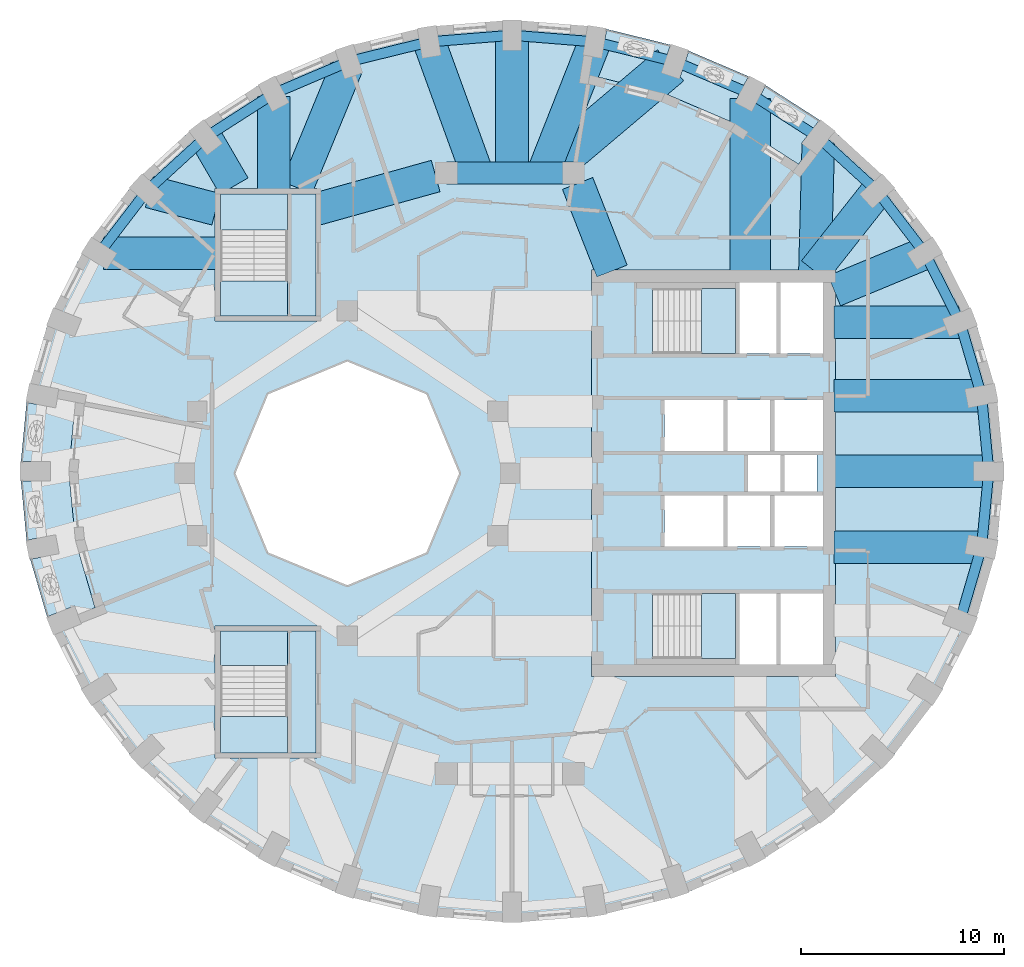
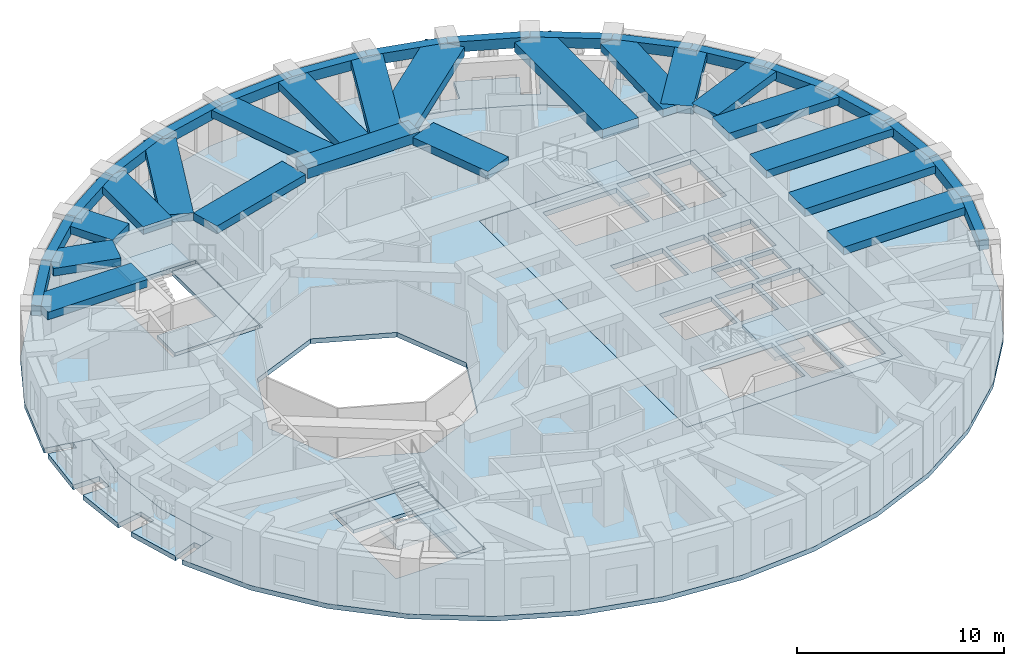
# One storey, part 2 of 12: 37 beams, 12 slabs, 4 elements without a shape of their own.
"""IFC4 building model written with IfcOpenShell, lengths in metres."""

from ifc_helpers import new_model, si_unit, direction, frame, origin, origin_2d, place, context, subcontext, project, spatial, polyline, rectangle, outline, extrude, material, layer, layer_set, material_profile, profile_set, type_object, element, aggregate, save


model = new_model("IFC4")

# Units and contexts
model_context = context("Model", 3, precision=1e-05, world=origin(), true_north=direction((0.0, 1.0)))
body_context = subcontext(model_context, "Body", "Model", "MODEL_VIEW")
ifc_project = project(units=[si_unit("LENGTHUNIT", "METRE"), si_unit("AREAUNIT", "SQUARE_METRE"), si_unit("VOLUMEUNIT", "CUBIC_METRE"), si_unit("PLANEANGLEUNIT", "RADIAN"), si_unit("MASSUNIT", "GRAM", prefix="KILO")], contexts=[model_context])

# Site, building, storey
site_placement = place(None, origin())
site = spatial("IfcSite", under=ifc_project, at=site_placement, CompositionType="ELEMENT")
building_placement = place(site_placement, origin())
building = spatial("IfcBuilding", under=site, at=building_placement, Name="Taillehof Tower", CompositionType="ELEMENT")
storey_placement = place(building_placement, frame((0.0, 0.0, 145.10009765625)))
storey = spatial("IfcBuildingStorey", under=building, at=storey_placement, Name="L40", CompositionType="ELEMENT", Elevation=145.10009765625)

# Beams
ifc_material_1 = material(Name="Concrete C50/60", Category="concrete")
ifc_material_profile_1 = material_profile(ifc_material_1, rectangle(XDim=1.10009765625, YDim=0.60009765625, at=origin_2d()), Name="RC 1100x600")
ifc_profile_set_1 = profile_set([ifc_material_profile_1], Name="Concrete C50/60")
beam_type_1 = type_object("IfcBeamType", Name="Mid-ring beam C50/60 1100x600", PredefinedType="BEAM", material=ifc_profile_set_1)
beam_1_placement = place(storey_placement, frame((3.125732421875, 14.772216796875, 2.719970703125), z_axis=(-1.0, 0.0, 0.0), x_axis=(0.0, -1.0, 0.0)))
element("IfcBeam", 1, at=beam_1_placement, inside=storey, type_object=beam_type_1, Name="Mid-ring beam MB01", PredefinedType="BEAM", context=body_context, shape_type="SweptSolid", body=[
    extrude(rectangle(XDim=1.10009765625, YDim=0.60009765625, at=origin_2d()), origin(), (0.0, 0.0, 1.0), 6.25146484375),
])
ifc_material_2 = material(Name="Concrete C50/60", Category="concrete")
ifc_material_profile_2 = material_profile(ifc_material_2, rectangle(XDim=1.60009765625, YDim=0.449951171875, at=origin_2d()), Name="RC 1600x450")
ifc_profile_set_2 = profile_set([ifc_material_profile_2], Name="Concrete C50/60")
beam_type_2 = type_object("IfcBeamType", Name="Radial band beam C50/60 1600x450", PredefinedType="BEAM", material=ifc_profile_set_2)
beam_2_placement = place(storey_placement, frame((23.550048828125, 0.10009765625, 2.794921875), z_axis=(-1.0, 0.0, 0.0), x_axis=(0.0, -1.0, 0.0)))
element("IfcBeam", 2, at=beam_2_placement, inside=storey, type_object=beam_type_2, Name="Radial band beam RB01", PredefinedType="BEAM", context=body_context, shape_type="SweptSolid", body=[
    extrude(rectangle(XDim=1.60009765625, YDim=0.449951171875, at=origin_2d()), origin(), (0.0, 0.0, 1.0), 7.60009765625),
])
beam_3_placement = place(storey_placement, frame((23.19384765625, 3.82470703125, 2.794921875), z_axis=(-1.0, 0.0, 0.0), x_axis=(0.0, -1.0, 0.0)))
element("IfcBeam", 3, at=beam_3_placement, inside=storey, type_object=beam_type_2, Name="Radial band beam RB02", PredefinedType="BEAM", context=body_context, shape_type="SweptSolid", body=[
    extrude(rectangle(XDim=1.60009765625, YDim=0.449951171875, at=origin_2d()), origin(), (0.0, 0.0, 1.0), 7.243896484375),
])
beam_4_placement = place(storey_placement, frame((22.08642578125, 7.436279296875, 2.794921875), z_axis=(-1.0, 0.0, 0.0), x_axis=(0.0, -1.0, 0.0)))
element("IfcBeam", 4, at=beam_4_placement, inside=storey, type_object=beam_type_2, Name="Radial band beam RB03", PredefinedType="BEAM", context=body_context, shape_type="SweptSolid", body=[
    extrude(rectangle(XDim=1.60009765625, YDim=0.449951171875, at=origin_2d()), origin(), (0.0, 0.0, 1.0), 6.136474609375),
])
beam_5_placement = place(storey_placement, frame((20.408203125, 10.824951171875, 2.794921875), z_axis=(-0.92395697655, -0.382496412381, 0.0), x_axis=(0.382496412381, -0.92395697655, 0.0)))
element("IfcBeam", 5, at=beam_5_placement, inside=storey, type_object=beam_type_2, Name="Radial band beam RB04", PredefinedType="BEAM", context=body_context, shape_type="SweptSolid", body=[
    extrude(rectangle(XDim=1.60009765625, YDim=0.449951171875, at=origin_2d()), origin(), (0.0, 0.0, 1.0), 4.821044921875),
])
beam_6_placement = place(storey_placement, frame((18.063720703125, 13.8876953125, 2.794921875), z_axis=(-0.618961692467, -0.785421175713, 0.0), x_axis=(0.785421175713, -0.618961692467, 0.0)))
element("IfcBeam", 6, at=beam_6_placement, inside=storey, type_object=beam_type_2, Name="Radial band beam RB05", PredefinedType="BEAM", context=body_context, shape_type="SweptSolid", body=[
    extrude(rectangle(XDim=1.60009765625, YDim=0.449951171875, at=origin_2d()), origin(), (0.0, 0.0, 1.0), 4.999755859375),
])
beam_7_placement = place(storey_placement, frame((15.166259765625, 16.259765625, 2.794921875), z_axis=(-0.026533506529, -0.999647924537, 0.0), x_axis=(0.999647924537, -0.026533506529, 0.0)))
element("IfcBeam", 7, at=beam_7_placement, inside=storey, type_object=beam_type_2, Name="Radial band beam RB06", PredefinedType="BEAM", context=body_context, shape_type="SweptSolid", body=[
    extrude(rectangle(XDim=1.60009765625, YDim=0.449951171875, at=origin_2d()), origin(), (0.0, 0.0, 1.0), 6.31201171875),
])
beam_8_placement = place(storey_placement, frame((4.172119140625, 21.22412109375, 2.794921875), z_axis=(-0.36711444375, -0.930175781877, 0.0), x_axis=(0.930175781877, -0.36711444375, 0.0)))
element("IfcBeam", 8, at=beam_8_placement, inside=storey, type_object=beam_type_2, Name="Radial band beam RB09", PredefinedType="BEAM", context=body_context, shape_type="SweptSolid", body=[
    extrude(rectangle(XDim=1.60009765625, YDim=0.449951171875, at=origin_2d()), origin(), (0.0, 0.0, 1.0), 6.936279296875),
])
beam_9_placement = place(storey_placement, frame((0.10009765625, 21.550048828125, 2.794921875), z_axis=(0.0, -1.0, 0.0), x_axis=(1.0, 0.0, 0.0)))
element("IfcBeam", 9, at=beam_9_placement, inside=storey, type_object=beam_type_2, Name="Radial band beam RB10", PredefinedType="BEAM", context=body_context, shape_type="SweptSolid", body=[
    extrude(rectangle(XDim=1.60009765625, YDim=0.449951171875, at=origin_2d()), origin(), (0.0, 0.0, 1.0), 6.77783203125),
])
beam_10_placement = place(storey_placement, frame((-3.97216796875, 21.22412109375, 2.794921875), z_axis=(0.341780181607, -0.939779925015, 0.0), x_axis=(0.939779925015, 0.341780181607, 0.0)))
element("IfcBeam", 10, at=beam_10_placement, inside=storey, type_object=beam_type_2, Name="Radial band beam RB11", PredefinedType="BEAM", context=body_context, shape_type="SweptSolid", body=[
    extrude(rectangle(XDim=1.60009765625, YDim=0.449951171875, at=origin_2d()), origin(), (0.0, 0.0, 1.0), 6.865234375),
])
beam_11_placement = place(storey_placement, frame((-8.04443359375, 19.95556640625, 2.794921875), z_axis=(-0.381176869418, -0.924502133162, 0.0), x_axis=(0.924502133162, -0.381176869418, 0.0)))
element("IfcBeam", 11, at=beam_11_placement, inside=storey, type_object=beam_type_2, Name="Radial band beam RB12", PredefinedType="BEAM", context=body_context, shape_type="SweptSolid", body=[
    extrude(rectangle(XDim=1.60009765625, YDim=0.449951171875, at=origin_2d()), origin(), (0.0, 0.0, 1.0), 6.382568359375),
])
beam_12_placement = place(storey_placement, frame((-11.625, 18.536376953125, 2.794921875), z_axis=(0.0, -1.0, 0.0), x_axis=(1.0, 0.0, 0.0)))
element("IfcBeam", 12, at=beam_12_placement, inside=storey, type_object=beam_type_2, Name="Radial band beam RB13", PredefinedType="BEAM", context=body_context, shape_type="SweptSolid", body=[
    extrude(rectangle(XDim=1.60009765625, YDim=0.449951171875, at=origin_2d()), origin(), (0.0, 0.0, 1.0), 4.58642578125),
])
beam_13_placement = place(storey_placement, frame((-14.973388671875, 16.53173828125, 2.794921875), z_axis=(0.502991419937, -0.864291404255, 0.0), x_axis=(0.864291404255, 0.502991419937, 0.0)))
element("IfcBeam", 13, at=beam_13_placement, inside=storey, type_object=beam_type_2, Name="Radial band beam RB14", PredefinedType="BEAM", context=body_context, shape_type="SweptSolid", body=[
    extrude(rectangle(XDim=1.60009765625, YDim=0.449951171875, at=origin_2d()), origin(), (0.0, 0.0, 1.0), 2.779296875),
])
beam_14_placement = place(storey_placement, frame((-17.72998046875, 13.8525390625, 2.794921875), z_axis=(0.966882543987, -0.255221758736, 0.0), x_axis=(0.255221758736, 0.966882543987, 0.0)))
element("IfcBeam", 14, at=beam_14_placement, inside=storey, type_object=beam_type_2, Name="Radial band beam RB15", PredefinedType="BEAM", context=body_context, shape_type="SweptSolid", body=[
    extrude(rectangle(XDim=1.60009765625, YDim=0.449951171875, at=origin_2d()), origin(), (0.0, 0.0, 1.0), 3.381591796875),
])
beam_15_placement = place(storey_placement, frame((-19.9990234375, 10.824951171875, 2.794921875), z_axis=(1.0, 0.0, 0.0), x_axis=(0.0, 1.0, 0.0)))
element("IfcBeam", 15, at=beam_15_placement, inside=storey, type_object=beam_type_2, Name="Radial band beam RB16", PredefinedType="BEAM", context=body_context, shape_type="SweptSolid", body=[
    extrude(rectangle(XDim=1.60009765625, YDim=0.449951171875, at=origin_2d()), origin(), (0.0, 0.0, 1.0), 5.549072265625),
])
beam_16_placement = place(storey_placement, frame((23.19384765625, -3.624755859375, 2.794921875), z_axis=(-1.0, 0.0, 0.0), x_axis=(0.0, -1.0, 0.0)))
element("IfcBeam", 16, at=beam_16_placement, inside=storey, type_object=beam_type_2, Name="Radial band beam RB36", PredefinedType="BEAM", context=body_context, shape_type="SweptSolid", body=[
    extrude(rectangle(XDim=1.60009765625, YDim=0.449951171875, at=origin_2d()), origin(), (0.0, 0.0, 1.0), 7.243896484375),
])
beam_17_placement = place(storey_placement, frame((3.32666015625, 14.26025390625, 2.794921875), z_axis=(0.365588707223, -0.930776502255, 0.0), x_axis=(0.930776502255, 0.365588707223, 0.0)))
element("IfcBeam", 17, at=beam_17_placement, inside=storey, type_object=beam_type_2, Name="Inner band beam IB205", PredefinedType="BEAM", context=body_context, shape_type="SweptSolid", body=[
    extrude(rectangle(XDim=1.60009765625, YDim=0.449951171875, at=origin_2d()), origin(), (0.0, 0.0, 1.0), 4.627197265625),
])
beam_18_placement = place(storey_placement, frame((-3.655517578125, 14.624755859375, 2.794921875), z_axis=(-0.963459369536, -0.267854518821, 0.0), x_axis=(0.267854518821, -0.963459369536, 0.0)))
element("IfcBeam", 18, at=beam_18_placement, inside=storey, type_object=beam_type_2, Name="Inner band beam IB206", PredefinedType="BEAM", context=body_context, shape_type="SweptSolid", body=[
    extrude(rectangle(XDim=1.60009765625, YDim=0.449951171875, at=origin_2d()), origin(), (0.0, 0.0, 1.0), 6.096923828125),
])
ifc_material_3 = material(Name="Concrete C50/60", Category="concrete")
ifc_material_profile_3 = material_profile(ifc_material_3, rectangle(XDim=2.0, YDim=0.550048828125, at=origin_2d()), Name="RC 2000x550")
ifc_profile_set_3 = profile_set([ifc_material_profile_3], Name="Concrete C50/60")
beam_type_3 = type_object("IfcBeamType", Name="Radial band beam C50/60 2000x550", PredefinedType="BEAM", material=ifc_profile_set_3)
beam_19_placement = place(storey_placement, frame((11.824951171875, 18.430908203125, 2.744873046875), z_axis=(0.0, -1.0, 0.0), x_axis=(1.0, 0.0, 0.0)))
element("IfcBeam", 19, at=beam_19_placement, inside=storey, type_object=beam_type_3, Name="Radial band beam RB07", PredefinedType="BEAM", context=body_context, shape_type="SweptSolid", body=[
    extrude(rectangle(XDim=2.0, YDim=0.550048828125, at=origin_2d()), origin(), (0.0, 0.0, 1.0), 8.48095703125),
])
beam_20_placement = place(storey_placement, frame((7.900390625, 20.070556640625, 2.744873046875), z_axis=(-0.764038060196, -0.645171173079, 0.0), x_axis=(0.645171173079, -0.764038060196, 0.0)))
element("IfcBeam", 20, at=beam_20_placement, inside=storey, type_object=beam_type_3, Name="Radial band beam RB08", PredefinedType="BEAM", context=body_context, shape_type="SweptSolid", body=[
    extrude(rectangle(XDim=2.0, YDim=0.550048828125, at=origin_2d()), origin(), (0.0, 0.0, 1.0), 7.880859375),
])
ifc_material_4 = material(Name="Concrete C50/60", Category="concrete")
ifc_material_profile_4 = material_profile(ifc_material_4, rectangle(XDim=0.5, YDim=0.60009765625, at=origin_2d()), Name="RC 500x600")
ifc_profile_set_4 = profile_set([ifc_material_profile_4], Name="Concrete C50/60")
beam_type_4 = type_object("IfcBeamType", Name="Spandrel beam C50/60 500x600", PredefinedType="SPANDREL", material=ifc_profile_set_4)
beam_21_placement = place(storey_placement, frame((23.550048828125, 0.10009765625, 2.719970703125), z_axis=(-0.095200147056, 0.995458151808, 0.0), x_axis=(-0.995458151808, -0.095200147056, 0.0)))
element("IfcBeam", 21, at=beam_21_placement, inside=storey, type_object=beam_type_4, Name="Spandrel beam SB01", PredefinedType="SPANDREL", context=body_context, shape_type="SweptSolid", body=[
    extrude(rectangle(XDim=0.5, YDim=0.60009765625, at=origin_2d()), origin(), (0.0, 0.0, 1.0), 3.74169921875),
])
beam_22_placement = place(storey_placement, frame((23.19384765625, 3.82470703125, 2.719970703125), z_axis=(-0.281158162606, 0.959661444261, 0.0), x_axis=(-0.959661444261, -0.281158162606, 0.0)))
element("IfcBeam", 22, at=beam_22_placement, inside=storey, type_object=beam_type_4, Name="Spandrel beam SB02", PredefinedType="SPANDREL", context=body_context, shape_type="SweptSolid", body=[
    extrude(rectangle(XDim=0.5, YDim=0.60009765625, at=origin_2d()), origin(), (0.0, 0.0, 1.0), 3.763427734375),
])
beam_23_placement = place(storey_placement, frame((22.1357421875, 7.436279296875, 2.719970703125), z_axis=(-0.454183451696, 0.890908183937, 0.0), x_axis=(-0.890908183937, -0.454183451696, 0.0)))
element("IfcBeam", 23, at=beam_23_placement, inside=storey, type_object=beam_type_4, Name="Spandrel beam SB03", PredefinedType="SPANDREL", context=body_context, shape_type="SweptSolid", body=[
    extrude(rectangle(XDim=0.5, YDim=0.60009765625, at=origin_2d()), origin(), (0.0, 0.0, 1.0), 3.8037109375),
])
beam_24_placement = place(storey_placement, frame((20.408203125, 10.824951171875, 2.719970703125), z_axis=(-0.60784004271, 0.794059495553, 0.0), x_axis=(-0.794059495553, -0.60784004271, 0.0)))
element("IfcBeam", 24, at=beam_24_placement, inside=storey, type_object=beam_type_4, Name="Spandrel beam SB04", PredefinedType="SPANDREL", context=body_context, shape_type="SweptSolid", body=[
    extrude(rectangle(XDim=0.5, YDim=0.60009765625, at=origin_2d()), origin(), (0.0, 0.0, 1.0), 3.857177734375),
])
beam_25_placement = place(storey_placement, frame((18.063720703125, 13.8876953125, 2.719970703125), z_axis=(-0.737849657471, 0.674965097594, 0.0), x_axis=(-0.674965097594, -0.737849657471, 0.0)))
element("IfcBeam", 25, at=beam_25_placement, inside=storey, type_object=beam_type_4, Name="Spandrel beam SB05", PredefinedType="SPANDREL", context=body_context, shape_type="SweptSolid", body=[
    extrude(rectangle(XDim=0.5, YDim=0.60009765625, at=origin_2d()), origin(), (0.0, 0.0, 1.0), 3.917236328125),
])
beam_26_placement = place(storey_placement, frame((15.17333984375, 16.53173828125, 2.719970703125), z_axis=(-0.842092940799, 0.53933243835, 0.0), x_axis=(-0.53933243835, -0.842092940799, 0.0)))
element("IfcBeam", 26, at=beam_26_placement, inside=storey, type_object=beam_type_4, Name="Spandrel beam SB06", PredefinedType="SPANDREL", context=body_context, shape_type="SweptSolid", body=[
    extrude(rectangle(XDim=0.5, YDim=0.60009765625, at=origin_2d()), origin(), (0.0, 0.0, 1.0), 3.976318359375),
])
beam_27_placement = place(storey_placement, frame((11.824951171875, 18.67626953125, 2.719970703125), z_axis=(-0.919827173659, 0.392323808351, 0.0), x_axis=(-0.392323808351, -0.919827173659, 0.0)))
element("IfcBeam", 27, at=beam_27_placement, inside=storey, type_object=beam_type_4, Name="Spandrel beam SB07", PredefinedType="SPANDREL", context=body_context, shape_type="SweptSolid", body=[
    extrude(rectangle(XDim=0.5, YDim=0.60009765625, at=origin_2d()), origin(), (0.0, 0.0, 1.0), 4.027587890625),
])
beam_28_placement = place(storey_placement, frame((8.120361328125, 20.25634765625, 2.719970703125), z_axis=(-0.971248584585, 0.238067610023, 0.0), x_axis=(-0.238067610023, -0.971248584585, 0.0)))
element("IfcBeam", 28, at=beam_28_placement, inside=storey, type_object=beam_type_4, Name="Spandrel beam SB08", PredefinedType="SPANDREL", context=body_context, shape_type="SweptSolid", body=[
    extrude(rectangle(XDim=0.5, YDim=0.60009765625, at=origin_2d()), origin(), (0.0, 0.0, 1.0), 4.065185546875),
])
beam_29_placement = place(storey_placement, frame((4.172119140625, 21.22412109375, 2.719970703125), z_axis=(-0.996812047205, 0.079785603634, 0.0), x_axis=(-0.079785603634, -0.996812047205, 0.0)))
element("IfcBeam", 29, at=beam_29_placement, inside=storey, type_object=beam_type_4, Name="Spandrel beam SB09", PredefinedType="SPANDREL", context=body_context, shape_type="SweptSolid", body=[
    extrude(rectangle(XDim=0.5, YDim=0.60009765625, at=origin_2d()), origin(), (0.0, 0.0, 1.0), 4.0849609375),
])
beam_30_placement = place(storey_placement, frame((0.10009765625, 21.550048828125, 2.719970703125), z_axis=(-0.996812427616, -0.079780850771, 0.0), x_axis=(0.079780850771, -0.996812427616, 0.0)))
element("IfcBeam", 30, at=beam_30_placement, inside=storey, type_object=beam_type_4, Name="Spandrel beam SB10", PredefinedType="SPANDREL", context=body_context, shape_type="SweptSolid", body=[
    extrude(rectangle(XDim=0.5, YDim=0.60009765625, at=origin_2d()), origin(), (0.0, 0.0, 1.0), 4.085205078125),
])
beam_31_placement = place(storey_placement, frame((-3.97216796875, 21.22412109375, 2.719970703125), z_axis=(-0.971248584585, -0.238067610023, 0.0), x_axis=(0.238067610023, -0.971248584585, 0.0)))
element("IfcBeam", 31, at=beam_31_placement, inside=storey, type_object=beam_type_4, Name="Spandrel beam SB11", PredefinedType="SPANDREL", context=body_context, shape_type="SweptSolid", body=[
    extrude(rectangle(XDim=0.5, YDim=0.60009765625, at=origin_2d()), origin(), (0.0, 0.0, 1.0), 4.065185546875),
])
beam_32_placement = place(storey_placement, frame((-7.92041015625, 20.25634765625, 2.719970703125), z_axis=(-0.919827173659, -0.392323808351, 0.0), x_axis=(0.392323808351, -0.919827173659, 0.0)))
element("IfcBeam", 32, at=beam_32_placement, inside=storey, type_object=beam_type_4, Name="Spandrel beam SB12", PredefinedType="SPANDREL", context=body_context, shape_type="SweptSolid", body=[
    extrude(rectangle(XDim=0.5, YDim=0.60009765625, at=origin_2d()), origin(), (0.0, 0.0, 1.0), 4.027587890625),
])
beam_33_placement = place(storey_placement, frame((-11.625, 18.67626953125, 2.719970703125), z_axis=(-0.842092940799, -0.53933243835, 0.0), x_axis=(0.53933243835, -0.842092940799, 0.0)))
element("IfcBeam", 33, at=beam_33_placement, inside=storey, type_object=beam_type_4, Name="Spandrel beam SB13", PredefinedType="SPANDREL", context=body_context, shape_type="SweptSolid", body=[
    extrude(rectangle(XDim=0.5, YDim=0.60009765625, at=origin_2d()), origin(), (0.0, 0.0, 1.0), 3.976318359375),
])
beam_34_placement = place(storey_placement, frame((-14.973388671875, 16.53173828125, 2.719970703125), z_axis=(-0.737849657471, -0.674965097594, 0.0), x_axis=(0.674965097594, -0.737849657471, 0.0)))
element("IfcBeam", 34, at=beam_34_placement, inside=storey, type_object=beam_type_4, Name="Spandrel beam SB14", PredefinedType="SPANDREL", context=body_context, shape_type="SweptSolid", body=[
    extrude(rectangle(XDim=0.5, YDim=0.60009765625, at=origin_2d()), origin(), (0.0, 0.0, 1.0), 3.917236328125),
])
beam_35_placement = place(storey_placement, frame((-17.86376953125, 13.8876953125, 2.719970703125), z_axis=(-0.60784004271, -0.794059495553, 0.0), x_axis=(0.794059495553, -0.60784004271, 0.0)))
element("IfcBeam", 35, at=beam_35_placement, inside=storey, type_object=beam_type_4, Name="Spandrel beam SB15", PredefinedType="SPANDREL", context=body_context, shape_type="SweptSolid", body=[
    extrude(rectangle(XDim=0.5, YDim=0.60009765625, at=origin_2d()), origin(), (0.0, 0.0, 1.0), 3.857177734375),
])
beam_36_placement = place(storey_placement, frame((22.1357421875, -7.236328125, 2.719970703125), z_axis=(0.281158162606, 0.959661444261, 0.0), x_axis=(-0.959661444261, 0.281158162606, 0.0)))
element("IfcBeam", 36, at=beam_36_placement, inside=storey, type_object=beam_type_4, Name="Spandrel beam SB35", PredefinedType="SPANDREL", context=body_context, shape_type="SweptSolid", body=[
    extrude(rectangle(XDim=0.5, YDim=0.60009765625, at=origin_2d()), origin(), (0.0, 0.0, 1.0), 3.763427734375),
])
beam_37_placement = place(storey_placement, frame((23.19384765625, -3.624755859375, 2.719970703125), z_axis=(0.095193963834, 0.995458743118, 0.0), x_axis=(-0.995458743118, 0.095193963834, 0.0)))
element("IfcBeam", 37, at=beam_37_placement, inside=storey, type_object=beam_type_4, Name="Spandrel beam SB36", PredefinedType="SPANDREL", context=body_context, shape_type="SweptSolid", body=[
    extrude(rectangle(XDim=0.5, YDim=0.60009765625, at=origin_2d()), origin(), (0.0, 0.0, 1.0), 3.741943359375),
])

# Slabs
ifc_material_5 = material(Name="Concrete C40/50", Category="concrete")
ifc_layer_1 = layer(ifc_material_5, 0.280029296875)
ifc_layer_set_1 = layer_set([ifc_layer_1], Name="Balcony slab 280")
slab_type_1 = type_object("IfcSlabType", Name="Balcony slab 280", PredefinedType="USERDEFINED", material=ifc_layer_set_1)
slab_1_placement = place(storey_placement, frame((0.0, 0.0, -0.280029296875)))
element("IfcSlab", 38, at=slab_1_placement, inside=storey, type_object=slab_type_1, Name="Balcony L40 pocket 5", ObjectType="BALCONY", PredefinedType="USERDEFINED", context=body_context, shape_type="SweptSolid", body=[
    extrude(outline(polyline([(-20.40966796875, -6.607666015625), (-21.24658203125, -6.939697265625), (-21.413818359375, -6.518310546875), (-22.768310546875, -7.0556640625), (-23.59521484375, -4.22412109375), (-22.16748046875, -3.94970703125), (-22.346923828125, -3.016845703125), (-23.776611328125, -3.29150390625), (-24.0546875, -0.375), (-22.60009765625, -0.375), (-22.60009765625, 0.574951171875), (-24.0546875, 0.574951171875), (-23.776611328125, 3.491455078125), (-22.346923828125, 3.216796875), (-22.25927734375, 3.671875), (-21.37548828125, 3.501953125), (-21.699951171875, 0.10009765625), (-21.37548828125, -3.302001953125), (-20.40966796875, -6.607666015625)])), origin(), (0.0, 0.0, 1.0), 0.280029296875),
])
slab_2_placement = place(storey_placement, frame((0.0, 0.0, -0.280029296875)))
element("IfcSlab", 39, at=slab_2_placement, inside=storey, type_object=slab_type_1, Name="Balcony L40 pocket 1", ObjectType="BALCONY", PredefinedType="USERDEFINED", context=body_context, shape_type="SweptSolid", body=[
    extrude(outline(polyline([(3.9189453125, 19.593505859375), (4.062744140625, 20.48193359375), (4.521240234375, 20.407958984375), (4.754638671875, 21.8515625), (7.89453125, 21.079833984375), (7.432373046875, 19.695556640625), (8.33349609375, 19.39453125), (8.796630859375, 20.78173828125), (11.736572265625, 19.52392578125), (11.05419921875, 18.23583984375), (11.893798828125, 17.791259765625), (12.577880859375, 19.0830078125), (15.227783203125, 17.380859375), (14.339599609375, 16.22705078125), (14.740966796875, 15.91796875), (14.191650390625, 15.204345703125), (11.07666015625, 17.204833984375), (7.61669921875, 18.684814453125), (3.9189453125, 19.593505859375)])), origin(), (0.0, 0.0, 1.0), 0.280029296875),
])
ifc_material_6 = material(Name="Concrete C40/50", Category="concrete")
ifc_layer_2 = layer(ifc_material_6, 0.280029296875)
ifc_layer_set_2 = layer_set([ifc_layer_2], Name="Core floor slab C40/50 280")
slab_type_2 = type_object("IfcSlabType", Name="Core floor slab C40/50 280", PredefinedType="FLOOR", material=ifc_layer_set_2)
slab_3_placement = place(storey_placement, frame((0.0, 0.0, -0.280029296875)))
element("IfcSlab", 40, at=slab_3_placement, inside=storey, type_object=slab_type_2, Name="Core floor L40", PredefinedType="FLOOR", context=body_context, shape_type="SweptSolid", body=[
    extrude(outline(polyline([(4.0, -10.0), (4.0, 10.0), (16.0, 10.0), (16.0, -10.0), (4.0, -10.0)]), holes=[polyline([(11.10009765625, -9.10009765625), (11.10009765625, -5.89990234375), (7.00048828125, -5.89990234375), (7.00048828125, -9.10009765625), (11.10009765625, -9.10009765625)]), polyline([(10.5, -3.60009765625), (10.5, -1.10009765625), (7.60009765625, -1.10009765625), (7.60009765625, -3.60009765625), (10.5, -3.60009765625)]), polyline([(12.800048828125, -3.60009765625), (12.800048828125, -1.10009765625), (10.699951171875, -1.10009765625), (10.699951171875, -3.60009765625), (12.800048828125, -3.60009765625)]), polyline([(10.5, 1.10009765625), (10.5, 3.60009765625), (7.60009765625, 3.60009765625), (7.60009765625, 1.10009765625), (10.5, 1.10009765625)]), polyline([(12.800048828125, 1.10009765625), (12.800048828125, 3.60009765625), (10.699951171875, 3.60009765625), (10.699951171875, 1.10009765625), (12.800048828125, 1.10009765625)]), polyline([(11.10009765625, 5.89990234375), (11.10009765625, 9.10009765625), (7.00048828125, 9.10009765625), (7.00048828125, 5.89990234375), (11.10009765625, 5.89990234375)]), polyline([(13.10009765625, 5.89990234375), (13.10009765625, 9.39990234375), (11.300048828125, 9.39990234375), (11.300048828125, 5.89990234375), (13.10009765625, 5.89990234375)]), polyline([(13.10009765625, -5.89990234375), (11.300048828125, -5.89990234375), (11.300048828125, -9.39990234375), (13.10009765625, -9.39990234375), (13.10009765625, -5.89990234375)]), polyline([(15.39990234375, -9.39990234375), (15.39990234375, -5.89990234375), (13.300048828125, -5.89990234375), (13.300048828125, -9.39990234375), (15.39990234375, -9.39990234375)]), polyline([(15.39990234375, -3.60009765625), (15.39990234375, -1.10009765625), (13.0, -1.10009765625), (13.0, -3.60009765625), (15.39990234375, -3.60009765625)]), polyline([(13.300048828125, -0.89990234375), (13.300048828125, 0.89990234375), (11.699951171875, 0.89990234375), (11.699951171875, -0.89990234375), (13.300048828125, -0.89990234375)]), polyline([(15.10009765625, -0.89990234375), (15.10009765625, 0.89990234375), (13.5, 0.89990234375), (13.5, -0.89990234375), (15.10009765625, -0.89990234375)]), polyline([(15.39990234375, 1.10009765625), (15.39990234375, 3.60009765625), (13.0, 3.60009765625), (13.0, 1.10009765625), (15.39990234375, 1.10009765625)]), polyline([(15.39990234375, 5.89990234375), (15.39990234375, 9.39990234375), (13.300048828125, 9.39990234375), (13.300048828125, 5.89990234375), (15.39990234375, 5.89990234375)])]), origin(), (0.0, 0.0, 1.0), 0.280029296875),
])
ifc_material_7 = material(Name="Concrete C40/50", Category="concrete")
ifc_layer_3 = layer(ifc_material_7, 0.280029296875)
ifc_layer_set_3 = layer_set([ifc_layer_3], Name="Floor slab 280")
slab_type_3 = type_object("IfcSlabType", Name="Floor slab 280", PredefinedType="FLOOR", material=ifc_layer_set_3)
slab_4_placement = place(storey_placement, frame((0.0, 0.0, -0.280029296875)))
element("IfcSlab", 41, at=slab_4_placement, inside=storey, type_object=slab_type_3, Name="Floor slab L40", PredefinedType="FLOOR", context=body_context, shape_type="SweptSolid", body=[
    extrude(outline(polyline([(24.300048828125, 0.10009765625), (23.932373046875, 3.955078125), (22.840576171875, 7.69287109375), (21.057861328125, 11.199951171875), (18.63818359375, 14.369873046875), (15.655517578125, 17.106201171875), (14.19140625, 15.204345703125), (11.07666015625, 17.204833984375), (7.61669921875, 18.684814453125), (3.919189453125, 19.593505859375), (4.30224609375, 21.962646484375), (0.10009765625, 22.300048828125), (-4.102294921875, 21.962646484375), (-8.177001953125, 20.961181640625), (-12.0, 19.32568359375), (-15.45556640625, 17.106201171875), (-18.438232421875, 14.369873046875), (-20.85791015625, 11.199951171875), (-22.640625, 7.69287109375), (-23.732421875, 3.955078125), (-21.37548828125, 3.501953125), (-21.699951171875, 0.10009765625), (-21.37548828125, -3.302001953125), (-20.40966796875, -6.607666015625), (-22.640625, -7.492919921875), (-20.85791015625, -11.0), (-18.438232421875, -14.169921875), (-15.45556640625, -16.90625), (-12.0, -19.125732421875), (-8.177001953125, -20.76123046875), (-4.102294921875, -21.7626953125), (0.10009765625, -22.10009765625), (4.30224609375, -21.7626953125), (8.376953125, -20.76123046875), (12.199951171875, -19.125732421875), (15.655517578125, -16.90625), (18.63818359375, -14.169921875), (21.057861328125, -11.0), (22.840576171875, -7.492919921875), (23.932373046875, -3.7548828125), (24.300048828125, 0.10009765625)]), holes=[polyline([(-14.5, -7.5), (-9.5, -7.5), (-9.5, -14.0), (-14.5, -14.0), (-14.5, -7.5)]), polyline([(-8.0, -5.5), (-11.88916015625, -3.88916015625), (-13.5, 0.0), (-11.88916015625, 3.88916015625), (-8.0, 5.5), (-4.11083984375, 3.88916015625), (-2.5, 0.0), (-4.11083984375, -3.88916015625), (-8.0, -5.5)]), polyline([(16.0, 10.0), (16.0, -10.0), (4.0, -10.0), (4.0, 10.0), (16.0, 10.0)]), polyline([(-14.5, 14.0), (-9.5, 14.0), (-9.5, 7.5), (-14.5, 7.5), (-14.5, 14.0)])]), origin(), (0.0, 0.0, 1.0), 0.280029296875),
])

# Stair, slab
ifc_material_8 = material(Name="Concrete C40/50", Category="concrete")
stair_type = type_object("IfcStairType", Name="Exit stair half-turn", PredefinedType="HALF_TURN_STAIR", material=ifc_material_8)
stair_1_placement = place(storey_placement, origin())
stair_1 = element("IfcStair", 42, at=stair_1_placement, inside=storey, type_object=stair_type, Name="Exit stair S1", PredefinedType="HALF_TURN_STAIR")
ifc_material_9 = material(Name="Concrete C40/50", Category="concrete")
ifc_layer_4 = layer(ifc_material_9, 0.2099609375)
ifc_layer_set_4 = layer_set([ifc_layer_4], Name="Stair landing C40/50 210")
slab_type_4 = type_object("IfcSlabType", Name="Stair landing C40/50 210", PredefinedType="LANDING", material=ifc_layer_set_4)
slab_5_placement = place(storey_placement, frame((0.0, 0.0, 1.43994140625)))
slab_5 = element("IfcSlab", 43, at=slab_5_placement, type_object=slab_type_4, Name="S1 landing 1", PredefinedType="LANDING", context=body_context, shape_type="SweptSolid", body=[
    extrude(outline(polyline([(9.429931640625, 5.89990234375), (11.10009765625, 5.89990234375), (11.10009765625, 9.10009765625), (9.429931640625, 9.10009765625), (9.429931640625, 5.89990234375)])), origin(), (0.0, 0.0, 1.0), 0.2099609375),
])
aggregate(stair_1, [slab_5])

stair_2_placement = place(storey_placement, origin())
stair_2 = element("IfcStair", 44, at=stair_2_placement, inside=storey, type_object=stair_type, Name="Exit stair S2", PredefinedType="HALF_TURN_STAIR")
slab_6_placement = place(storey_placement, frame((0.0, 0.0, 1.43994140625)))
slab_6 = element("IfcSlab", 45, at=slab_6_placement, type_object=slab_type_4, Name="S2 landing 1", PredefinedType="LANDING", context=body_context, shape_type="SweptSolid", body=[
    extrude(outline(polyline([(9.429931640625, -5.89990234375), (11.10009765625, -5.89990234375), (11.10009765625, -9.10009765625), (9.429931640625, -9.10009765625), (9.429931640625, -5.89990234375)])), origin(), (0.0, 0.0, 1.0), 0.2099609375),
])
aggregate(stair_2, [slab_6])

stair_3_placement = place(storey_placement, origin())
stair_3 = element("IfcStair", 46, at=stair_3_placement, inside=storey, type_object=stair_type, Name="Exit stair S3", PredefinedType="HALF_TURN_STAIR")
slab_7_placement = place(storey_placement, frame((0.0, 0.0, 1.43994140625)))
slab_7 = element("IfcSlab", 47, at=slab_7_placement, type_object=slab_type_4, Name="S3 landing 1", PredefinedType="LANDING", context=body_context, shape_type="SweptSolid", body=[
    extrude(outline(polyline([(-14.25, 11.969970703125), (-14.25, 13.75), (-10.949951171875, 13.75), (-10.949951171875, 11.969970703125), (-14.25, 11.969970703125)])), origin(), (0.0, 0.0, 1.0), 0.2099609375),
])
aggregate(stair_3, [slab_7])

stair_4_placement = place(storey_placement, origin())
stair_4 = element("IfcStair", 48, at=stair_4_placement, inside=storey, type_object=stair_type, Name="Exit stair S4", PredefinedType="HALF_TURN_STAIR")
slab_8_placement = place(storey_placement, frame((0.0, 0.0, 1.43994140625)))
slab_8 = element("IfcSlab", 49, at=slab_8_placement, type_object=slab_type_4, Name="S4 landing 1", PredefinedType="LANDING", context=body_context, shape_type="SweptSolid", body=[
    extrude(outline(polyline([(-14.25, -11.969970703125), (-14.25, -13.75), (-10.949951171875, -13.75), (-10.949951171875, -11.969970703125), (-14.25, -11.969970703125)])), origin(), (0.0, 0.0, 1.0), 0.2099609375),
])
aggregate(stair_4, [slab_8])

# Slabs
slab_9_placement = place(storey_placement, frame((0.0, 0.0, -0.210205078125)))
element("IfcSlab", 50, at=slab_9_placement, inside=storey, type_object=slab_type_4, Name="Stair S3 floor landing", PredefinedType="LANDING", context=body_context, shape_type="SweptSolid", body=[
    extrude(outline(polyline([(-14.25, 7.75), (-14.25, 9.449951171875), (-10.949951171875, 9.449951171875), (-10.949951171875, 7.75), (-14.25, 7.75)])), origin(), (0.0, 0.0, 1.0), 0.210205078125),
])
slab_10_placement = place(storey_placement, frame((0.0, 0.0, -0.210205078125)))
element("IfcSlab", 51, at=slab_10_placement, inside=storey, type_object=slab_type_4, Name="Stair lobby S3 floor", PredefinedType="LANDING", context=body_context, shape_type="SweptSolid", body=[
    extrude(outline(polyline([(-10.949951171875, 7.75), (-9.550048828125, 7.75), (-9.550048828125, 13.75), (-10.949951171875, 13.75), (-10.949951171875, 7.75)])), origin(), (0.0, 0.0, 1.0), 0.210205078125),
])
slab_11_placement = place(storey_placement, frame((0.0, 0.0, -0.210205078125)))
element("IfcSlab", 52, at=slab_11_placement, inside=storey, type_object=slab_type_4, Name="Stair S4 floor landing", PredefinedType="LANDING", context=body_context, shape_type="SweptSolid", body=[
    extrude(outline(polyline([(-14.25, -7.75), (-14.25, -9.449951171875), (-10.949951171875, -9.449951171875), (-10.949951171875, -7.75), (-14.25, -7.75)])), origin(), (0.0, 0.0, 1.0), 0.210205078125),
])
slab_12_placement = place(storey_placement, frame((0.0, 0.0, -0.210205078125)))
element("IfcSlab", 53, at=slab_12_placement, inside=storey, type_object=slab_type_4, Name="Stair lobby S4 floor", PredefinedType="LANDING", context=body_context, shape_type="SweptSolid", body=[
    extrude(outline(polyline([(-10.949951171875, -13.75), (-9.550048828125, -13.75), (-9.550048828125, -7.75), (-10.949951171875, -7.75), (-10.949951171875, -13.75)])), origin(), (0.0, 0.0, 1.0), 0.210205078125),
])

save(model, "model.ifc")
